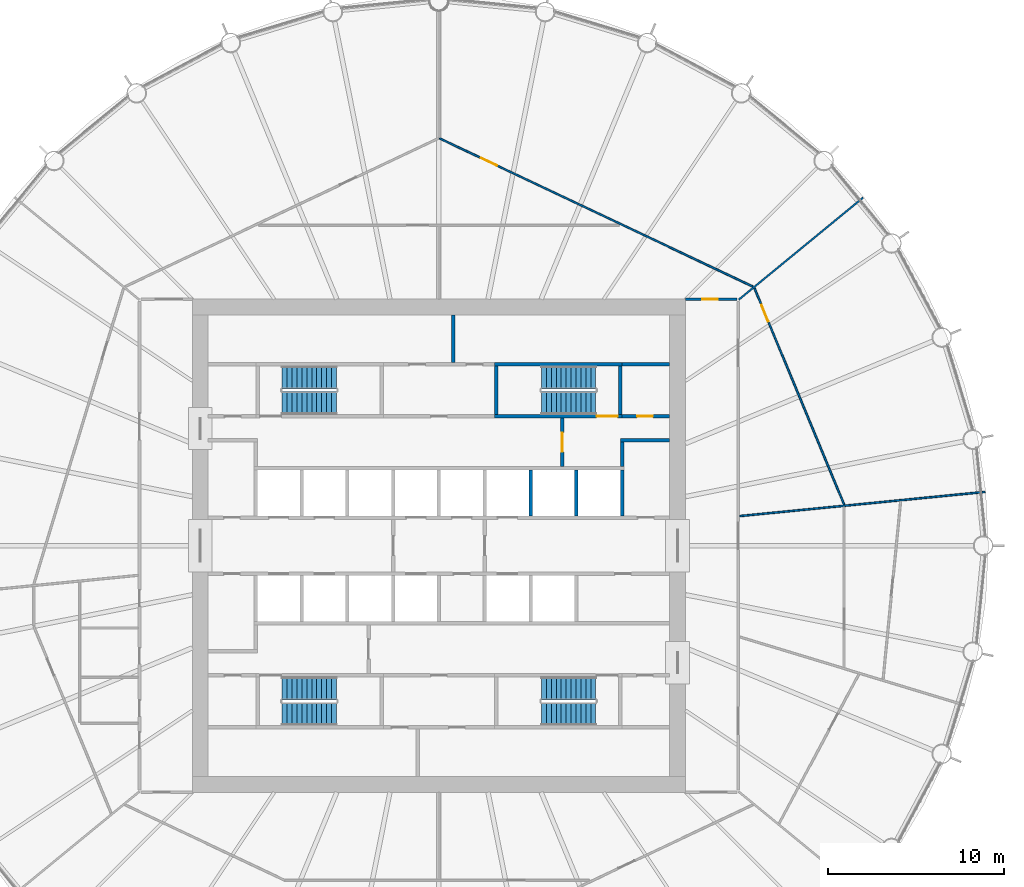
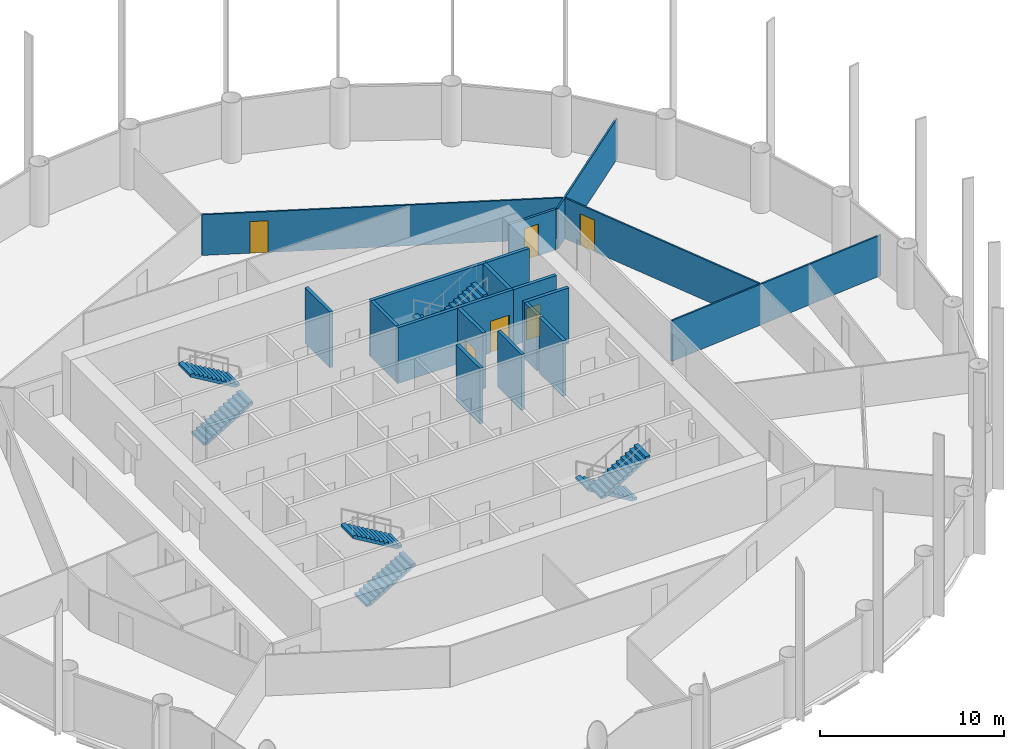
# One storey, part 7 of 8: 18 walls, 8 stair flights, 6 doors, 6 openings, 4 elements without a shape of their own.
"""IFC4 building model written with IfcOpenShell, lengths in metres."""

import ifcopenshell
import ifcopenshell.guid

model = None  # the IFC model being written
_history = None  # IfcOwnerHistory: only IFC2X3 demands one
_inside = {}  # id of a spatial element -> (the spatial element, [elements in it])
_under = {}  # id of a project, library or spatial element -> (it, [spatial elements below it])
_declared = {}  # id of a project -> (the project, [libraries it declares])
_typed = {}  # id of a type object -> (the type object, [elements of that type])
_made_of = {}  # id of a material, layer set ... -> (it, [elements and type objects made of it])


def new_model(schema):
    """Start an empty IFC model of exactly this schema.

    Asked for "IFC4X3", IfcOpenShell would pick the latest addendum, in which some entities
    have other attributes; the version numbers below select the first issue.
    IFC2X3 requires an IfcOwnerHistory on every rooted entity: one is made here for all.
    """
    global model, _history
    if schema == "IFC4X3":
        model = ifcopenshell.file(schema_version=(4, 3, 0, 0))
    else:
        model = ifcopenshell.file(schema=schema)
    _inside.clear()
    _under.clear()
    _declared.clear()
    _typed.clear()
    _made_of.clear()
    _history = None
    if model.schema == "IFC2X3":
        org = make("IfcOrganization", Name="unknown")
        user = make(
            "IfcPersonAndOrganization",
            ThePerson=make("IfcPerson", FamilyName="unknown"),
            TheOrganization=org,
        )
        app = make(
            "IfcApplication",
            ApplicationDeveloper=org,
            Version="unknown",
            ApplicationFullName="unknown",
            ApplicationIdentifier="unknown",
        )
        _history = make(
            "IfcOwnerHistory",
            OwningUser=user,
            OwningApplication=app,
            ChangeAction="ADDED",
            CreationDate=0,
        )
    return model


def make(cls, **values):
    """One entity of the class cls with the attributes given. An attribute that is None is left unset."""
    return model.create_entity(
        cls, **{name: value for name, value in values.items() if value is not None}
    )


def rooted(cls, **values):
    """An entity with a GlobalId (a new one), such as an element, a storey or a relation."""
    return make(cls, GlobalId=ifcopenshell.guid.new(), OwnerHistory=_history, **values)


def si_unit(unit_type, name, prefix=None):
    """IfcSIUnit, for example si_unit("LENGTHUNIT", "METRE", prefix="MILLI")."""
    return make("IfcSIUnit", UnitType=unit_type, Prefix=prefix, Name=name)


def assignment(units):
    """IfcUnitAssignment: the units of a project."""
    return None if units is None else make("IfcUnitAssignment", Units=units)


def point(xyz):
    """IfcCartesianPoint."""
    return None if xyz is None else make("IfcCartesianPoint", Coordinates=xyz)


def direction(xyz):
    """IfcDirection."""
    return None if xyz is None else make("IfcDirection", DirectionRatios=xyz)


def frame(location, z_axis=None, x_axis=None):
    """IfcAxis2Placement3D, a coordinate frame: its origin and axes. An axis left out is left unset."""
    return make(
        "IfcAxis2Placement3D",
        Location=point(location),
        Axis=direction(z_axis),
        RefDirection=direction(x_axis),
    )


def frame_2d(location, x_axis=None):
    """IfcAxis2Placement2D, a coordinate frame in the plane: its origin and x axis."""
    return make(
        "IfcAxis2Placement2D", Location=point(location), RefDirection=direction(x_axis)
    )


def origin():
    """The frame at (0, 0, 0) with its axes left unset."""
    return frame((0.0, 0.0, 0.0))


def place(relative_to, where):
    """IfcLocalPlacement: puts the frame where relative to a parent placement (None: the world)."""
    return make(
        "IfcLocalPlacement", PlacementRelTo=relative_to, RelativePlacement=where
    )


def context(
    kind, dimensions, precision=None, world=None, true_north=None, identifier=None
):
    """IfcGeometricRepresentationContext, for example the 3D "Model" context."""
    return make(
        "IfcGeometricRepresentationContext",
        ContextIdentifier=identifier,
        ContextType=kind,
        CoordinateSpaceDimension=dimensions,
        Precision=precision,
        WorldCoordinateSystem=world,
        TrueNorth=true_north,
    )


def subcontext(parent, identifier, kind, view, scale=None):
    """IfcGeometricRepresentationSubContext, for example "Body" below "Model"."""
    return make(
        "IfcGeometricRepresentationSubContext",
        ContextIdentifier=identifier,
        ContextType=kind,
        ParentContext=parent,
        TargetScale=scale,
        TargetView=view,
    )


def project(units=None, contexts=None):
    """IfcProject with its units and contexts."""
    return rooted(
        "IfcProject",
        Name="project",
        RepresentationContexts=contexts,
        UnitsInContext=assignment(units),
    )


def spatial(cls, under=None, at=None, **own):
    """A site, building, storey or space (cls), placed at a placement, below another one or the project."""
    s = rooted(cls, ObjectPlacement=at, **own)
    if under is not None:
        _under.setdefault(under.id(), (under, []))[1].append(s)
    return s


def polyline(points):
    """IfcPolyline through the points."""
    return make("IfcPolyline", Points=[point(p) for p in points])


def profile(cls, at=None, kind="AREA", **sizes):
    """A parametric profile (cls). Its sizes go by their IFC names, for example OverallWidth=200.0."""
    return make(cls, ProfileType=kind, Position=at, **sizes)


def rectangle(**sizes):
    """IfcRectangleProfileDef."""
    return profile("IfcRectangleProfileDef", **sizes)


def outline(outer, holes=None, kind="AREA"):
    """IfcArbitraryClosedProfileDef: a profile drawn as a closed curve; with holes, ...WithVoids."""
    if holes is None:
        return make("IfcArbitraryClosedProfileDef", ProfileType=kind, OuterCurve=outer)
    return make(
        "IfcArbitraryProfileDefWithVoids",
        ProfileType=kind,
        OuterCurve=outer,
        InnerCurves=holes,
    )


def extrude(swept, where, along, depth):
    """IfcExtrudedAreaSolid: the profile swept, set in the frame where, extruded along a direction by depth."""
    return make(
        "IfcExtrudedAreaSolid",
        SweptArea=swept,
        Position=where,
        ExtrudedDirection=direction(along),
        Depth=depth,
    )


def shape(context_of_items, identifier, shape_type, items):
    """IfcShapeRepresentation: the items that make up one representation, for example the "Body"."""
    return make(
        "IfcShapeRepresentation",
        ContextOfItems=context_of_items,
        RepresentationIdentifier=identifier,
        RepresentationType=shape_type,
        Items=items,
    )


def material(Name=None, Category=None):
    """IfcMaterial."""
    return make("IfcMaterial", Name=Name, Category=Category)


def layer(
    of_material, thickness, ventilated=None, Name=None, Category=None, Priority=None
):
    """IfcMaterialLayer: one layer of a wall or slab, of a material (None: an air gap)."""
    return make(
        "IfcMaterialLayer",
        Material=of_material,
        LayerThickness=thickness,
        IsVentilated=ventilated,
        Name=Name,
        Category=Category,
        Priority=Priority,
    )


def layer_set(layers, Name=None):
    """IfcMaterialLayerSet."""
    return make("IfcMaterialLayerSet", MaterialLayers=layers, LayerSetName=Name)


def made_of(thing, what):
    """Note that an element or type object is made of a material, layer set ...; save() writes the relation."""
    if what is not None:
        _made_of.setdefault(what.id(), (what, []))[1].append(thing)
    return thing


def type_object(cls, material=None, **own):
    """A type object (cls), such as IfcWallType, which elements share."""
    return made_of(rooted(cls, **own), material)


def element(
    cls,
    number,
    at=None,
    inside=None,
    cuts=None,
    type_object=None,
    material=None,
    context=None,
    identifier="Body",
    shape_type=None,
    held_by="IfcProductDefinitionShape",
    body=None,
    shapes=None,
    **own,
):
    """One element of the class cls, such as IfcWall. Its Tag is "e" and its number.

    at: its placement. inside: the storey or other place that contains it. cuts: it is an
    opening in that element (IfcRelVoidsElement). A single representation is given by context,
    identifier, shape_type and body (its items); several are given by shapes. held_by: the class
    of the entity that holds the representations. save() writes the other relations.
    """
    e = rooted(cls, Tag="e%d" % number, ObjectPlacement=at, **own)
    if body is not None:
        shapes = [shape(context, identifier, shape_type, body)]
    if shapes is not None:
        e.Representation = make(held_by, Representations=shapes)
    if inside is not None:
        _inside.setdefault(inside.id(), (inside, []))[1].append(e)
    if cuts is not None:
        rooted(
            "IfcRelVoidsElement", RelatingBuildingElement=cuts, RelatedOpeningElement=e
        )
    if type_object is not None:
        _typed.setdefault(type_object.id(), (type_object, []))[1].append(e)
    return made_of(e, material)


def fill(opening, filler):
    """IfcRelFillsElement: the door or window that sits in an opening."""
    return rooted(
        "IfcRelFillsElement",
        RelatingOpeningElement=opening,
        RelatedBuildingElement=filler,
    )


def aggregate(whole, parts):
    """IfcRelAggregates: a whole, such as a stair, and the parts it consists of."""
    return rooted("IfcRelAggregates", RelatingObject=whole, RelatedObjects=parts)


def save(model, path):
    """Write the relations noted so far, then the file.

    IfcRelAggregates (storeys below a building ...), IfcRelContainedInSpatialStructure (elements
    in a storey), IfcRelDefinesByType, IfcRelAssociatesMaterial and IfcRelDeclares: one each for
    every whole, place, type object, material and project.
    """
    for whole, parts in _under.values():
        aggregate(whole, parts)
    for where, things in _inside.values():
        rooted(
            "IfcRelContainedInSpatialStructure",
            RelatedElements=things,
            RelatingStructure=where,
        )
    for kind, things in _typed.values():
        rooted("IfcRelDefinesByType", RelatedObjects=things, RelatingType=kind)
    for what, things in _made_of.values():
        rooted("IfcRelAssociatesMaterial", RelatedObjects=things, RelatingMaterial=what)
    for by, libraries in _declared.values():
        rooted("IfcRelDeclares", RelatingContext=by, RelatedDefinitions=libraries)
    model.write(path)


model = new_model("IFC4")

# Units and contexts
model_context = context("Model", 3, precision=1e-05, world=origin(), true_north=direction((0.0, 1.0)))
body_context = subcontext(model_context, "Body", "Model", "MODEL_VIEW")
ifc_project = project(units=[si_unit("LENGTHUNIT", "METRE"), si_unit("AREAUNIT", "SQUARE_METRE"), si_unit("VOLUMEUNIT", "CUBIC_METRE"), si_unit("PLANEANGLEUNIT", "RADIAN"), si_unit("MASSUNIT", "GRAM", prefix="KILO")], contexts=[model_context])

# Site, building, storey
site_placement = place(None, origin())
site = spatial("IfcSite", under=ifc_project, at=site_placement, CompositionType="ELEMENT")
building_placement = place(site_placement, origin())
building = spatial("IfcBuilding", under=site, at=building_placement, Name="Corvane Civic Tower", CompositionType="ELEMENT")
storey_placement = place(building_placement, frame((0.0, 0.0, 176.0)))
storey = spatial("IfcBuildingStorey", under=building, at=storey_placement, Name="L41", CompositionType="ELEMENT", Elevation=176.0)

# Wall, opening, door
ifc_material_1 = material(Name="Concrete C30/37", Category="concrete")
ifc_layer_1 = layer(ifc_material_1, 0.199951171875)
ifc_layer_set_1 = layer_set([ifc_layer_1], Name="Concrete C30/37")
wall_type_1 = type_object("IfcWallType", Name="CR-WALL-200", PredefinedType="PARTITIONING", material=ifc_layer_set_1)
wall_1_placement = place(storey_placement, frame((10.39990234375, 7.35009765625, 0.0), z_axis=(0.0, 0.0, 1.0), x_axis=(1.0, 0.0, 0.0)))
wall_1 = element("IfcWall", 1, at=wall_1_placement, inside=storey, type_object=wall_type_1, Name="L41 core partition wall", PredefinedType="PARTITIONING", context=body_context, shape_type="SweptSolid", body=[
    extrude(rectangle(XDim=2.7001953125, YDim=0.199951171875, at=frame_2d((1.35009765625, 0.0))), origin(), (0.0, 0.0, 1.0), 3.699951171875),
])
opening_1_placement = place(wall_1_placement, frame((0.85009765625, 0.0, 0.0)))
opening_1 = element("IfcOpeningElement", 2, at=opening_1_placement, cuts=wall_1, Name="Opening L41.C14", PredefinedType="OPENING", context=body_context, shape_type="SweptSolid", body=[
    extrude(rectangle(XDim=0.89990234375, YDim=2.10009765625, at=frame_2d((0.449951171875, 1.050048828125))), frame((0.0, 0.10986328125, 0.0), z_axis=(0.0, -1.0, 0.0), x_axis=(1.0, 0.0, 0.0)), (0.0, 0.0, 1.0), 0.219970703125),
])
ifc_material_2 = material(Name="Steel fire door leaf", Category="steel")
door_type_1 = type_object("IfcDoorType", Name="CR-DOOR-900", OperationType="SINGLE_SWING_LEFT", PredefinedType="DOOR", material=ifc_material_2)
door_1_placement = place(opening_1_placement, origin())
door_1 = element("IfcDoor", 3, at=door_1_placement, inside=storey, type_object=door_type_1, Name="L41 door", OperationType="SINGLE_SWING_LEFT", OverallHeight=2.10009765625, OverallWidth=0.89990234375, PredefinedType="DOOR", context=body_context, shape_type="SweptSolid", body=[
    extrude(rectangle(XDim=0.89990234375, YDim=2.10009765625, at=frame_2d((0.449951171875, 1.050048828125))), frame((0.0, 0.02490234375, 0.0), z_axis=(0.0, -1.0, 0.0), x_axis=(1.0, 0.0, 0.0)), (0.0, 0.0, 1.0), 0.050048828125),
])
fill(opening_1, door_1)

wall_2_placement = place(storey_placement, frame((7.0, 4.5, 0.0), z_axis=(0.0, 0.0, 1.0), x_axis=(0.0, 1.0, 0.0)))
wall_2 = element("IfcWall", 4, at=wall_2_placement, inside=storey, type_object=wall_type_1, Name="L41 core partition wall", PredefinedType="PARTITIONING", context=body_context, shape_type="SweptSolid", body=[
    extrude(rectangle(XDim=2.75, YDim=0.199951171875, at=frame_2d((1.375, 0.0))), origin(), (0.0, 0.0, 1.0), 3.699951171875),
])
opening_2_placement = place(wall_2_placement, frame((0.824951171875, 0.0, 0.0)))
opening_2 = element("IfcOpeningElement", 5, at=opening_2_placement, cuts=wall_2, Name="Opening L41.C22", PredefinedType="OPENING", context=body_context, shape_type="SweptSolid", body=[
    extrude(rectangle(XDim=1.10009765625, YDim=2.10009765625, at=frame_2d((0.550048828125, 1.050048828125))), frame((0.0, 0.10986328125, 0.0), z_axis=(0.0, -1.0, 0.0), x_axis=(1.0, 0.0, 0.0)), (0.0, 0.0, 1.0), 0.219970703125),
])
ifc_material_3 = material(Name="Steel fire door leaf", Category="steel")
door_type_2 = type_object("IfcDoorType", Name="CR-DOOR-FFL-1100", OperationType="SINGLE_SWING_LEFT", PredefinedType="DOOR", material=ifc_material_3)
door_2_placement = place(opening_2_placement, origin())
door_2 = element("IfcDoor", 6, at=door_2_placement, inside=storey, type_object=door_type_2, Name="L41 lobby door", OperationType="SINGLE_SWING_LEFT", OverallHeight=2.10009765625, OverallWidth=1.10009765625, PredefinedType="DOOR", context=body_context, shape_type="SweptSolid", body=[
    extrude(rectangle(XDim=1.10009765625, YDim=2.10009765625, at=frame_2d((0.550048828125, 1.050048828125))), frame((0.0, 0.02490234375, 0.0), z_axis=(0.0, -1.0, 0.0), x_axis=(1.0, 0.0, 0.0)), (0.0, 0.0, 1.0), 0.050048828125),
])
fill(opening_2, door_2)

# Walls
wall_3_placement = place(storey_placement, origin())
element("IfcWall", 7, at=wall_3_placement, inside=storey, type_object=wall_type_1, Name="L41 core partition wall", PredefinedType="PARTITIONING", context=body_context, shape_type="SweptSolid", body=[
    extrude(outline(polyline([(13.10009765625, 5.89990234375), (10.300048828125, 5.89990234375), (10.300048828125, 6.10009765625), (13.10009765625, 6.10009765625), (13.10009765625, 5.89990234375)])), origin(), (0.0, 0.0, 1.0), 3.699951171875),
])
wall_4_placement = place(storey_placement, origin())
element("IfcWall", 8, at=wall_4_placement, inside=storey, type_object=wall_type_1, Name="L41 core partition wall", PredefinedType="PARTITIONING", context=body_context, shape_type="SweptSolid", body=[
    extrude(outline(polyline([(5.300048828125, 1.699951171875), (5.10009765625, 1.699951171875), (5.10009765625, 4.2998046875), (5.300048828125, 4.2998046875), (5.300048828125, 1.699951171875)])), origin(), (0.0, 0.0, 1.0), 3.699951171875),
])
wall_5_placement = place(storey_placement, origin())
element("IfcWall", 9, at=wall_5_placement, inside=storey, type_object=wall_type_1, Name="L41 core partition wall", PredefinedType="PARTITIONING", context=body_context, shape_type="SweptSolid", body=[
    extrude(outline(polyline([(7.89990234375, 1.699951171875), (7.699951171875, 1.699951171875), (7.699951171875, 4.2998046875), (7.89990234375, 4.2998046875), (7.89990234375, 1.699951171875)])), origin(), (0.0, 0.0, 1.0), 3.699951171875),
])
wall_6_placement = place(storey_placement, origin())
element("IfcWall", 10, at=wall_6_placement, inside=storey, type_object=wall_type_1, Name="L41 core partition wall", PredefinedType="PARTITIONING", context=body_context, shape_type="SweptSolid", body=[
    extrude(outline(polyline([(10.5, 1.699951171875), (10.300048828125, 1.699951171875), (10.300048828125, 4.2998046875), (10.5, 4.2998046875), (10.5, 1.699951171875)])), origin(), (0.0, 0.0, 1.0), 3.699951171875),
])
wall_7_placement = place(storey_placement, origin())
element("IfcWall", 11, at=wall_7_placement, inside=storey, type_object=wall_type_1, Name="L41 core partition wall", PredefinedType="PARTITIONING", context=body_context, shape_type="SweptSolid", body=[
    extrude(outline(polyline([(10.5, 4.5), (10.300048828125, 4.5), (10.300048828125, 5.89990234375), (10.5, 5.89990234375), (10.5, 4.5)])), origin(), (0.0, 0.0, 1.0), 3.699951171875),
])
wall_8_placement = place(storey_placement, origin())
element("IfcWall", 12, at=wall_8_placement, inside=storey, type_object=wall_type_1, Name="L41 core partition wall", PredefinedType="PARTITIONING", context=body_context, shape_type="SweptSolid", body=[
    extrude(outline(polyline([(0.89990234375, 10.39990234375), (0.699951171875, 10.39990234375), (0.699951171875, 13.10009765625), (0.89990234375, 13.10009765625), (0.89990234375, 10.39990234375)])), origin(), (0.0, 0.0, 1.0), 3.699951171875),
])
wall_9_placement = place(storey_placement, origin())
element("IfcWall", 13, at=wall_9_placement, inside=storey, type_object=wall_type_1, Name="L41 core partition wall", PredefinedType="PARTITIONING", context=body_context, shape_type="SweptSolid", body=[
    extrude(outline(polyline([(10.39990234375, 10.199951171875), (10.39990234375, 10.39990234375), (13.10009765625, 10.39990234375), (13.10009765625, 10.199951171875), (10.39990234375, 10.199951171875)])), origin(), (0.0, 0.0, 1.0), 3.699951171875),
])
ifc_material_4 = material(Name="Plasterboard")
ifc_layer_2 = layer(ifc_material_4, 0.10009765625)
ifc_layer_set_2 = layer_set([ifc_layer_2], Name="Plasterboard")
wall_type_2 = type_object("IfcWallType", Name="Partition 100 plasterboard on studs", PredefinedType="PARTITIONING", material=ifc_layer_set_2)
wall_10_placement = place(storey_placement, frame((17.079833984375, 1.68212890625, 0.0), z_axis=(0.0, 0.0, 1.0), x_axis=(0.995184356936, 0.098020894254, 0.0)))
element("IfcWall", 14, at=wall_10_placement, inside=storey, type_object=wall_type_2, Name="Partition L41.024", PredefinedType="PARTITIONING", context=body_context, shape_type="SweptSolid", body=[
    extrude(rectangle(XDim=13.98779296875, YDim=0.10009765625, at=frame_2d((6.993896484375, 0.0))), origin(), (0.0, 0.0, 1.0), 2.699951171875),
])

# Wall, opening, door
wall_11_placement = place(storey_placement, frame((17.913818359375, 14.617919921875, 0.0), z_axis=(0.0, 0.0, 1.0), x_axis=(0.382684147152, -0.923879236437, 0.0)))
wall_11 = element("IfcWall", 15, at=wall_11_placement, inside=storey, type_object=wall_type_2, Name="Partition L41.025", PredefinedType="PARTITIONING", context=body_context, shape_type="SweptSolid", body=[
    extrude(rectangle(XDim=13.2998046875, YDim=0.10009765625, at=frame_2d((6.64990234375, 0.0))), origin(), (0.0, 0.0, 1.0), 2.699951171875),
])
opening_3_placement = place(wall_11_placement, frame((1.037353515625, 0.0, 0.0)))
opening_3 = element("IfcOpeningElement", 16, at=opening_3_placement, cuts=wall_11, Name="Opening L41.010", PredefinedType="OPENING", context=body_context, shape_type="SweptSolid", body=[
    extrude(rectangle(XDim=1.0, YDim=2.10009765625, at=frame_2d((0.5, 1.050048828125))), frame((0.0, 0.06005859375, 0.0), z_axis=(0.0, -1.0, 0.0), x_axis=(1.0, 0.0, 0.0)), (0.0, 0.0, 1.0), 0.1201171875),
])
ifc_material_5 = material(Name="Timber", Category="wood")
door_type_3 = type_object("IfcDoorType", Name="Single door 1000", OperationType="NOTDEFINED", PredefinedType="DOOR", material=ifc_material_5)
door_3_placement = place(opening_3_placement, origin())
door_3 = element("IfcDoor", 17, at=door_3_placement, inside=storey, type_object=door_type_3, Name="Door L41.010", OperationType="SINGLE_SWING_LEFT", OverallHeight=2.10009765625, OverallWidth=1.0, PredefinedType="DOOR", context=body_context, shape_type="SweptSolid", body=[
    extrude(rectangle(XDim=1.0, YDim=2.10009765625, at=frame_2d((0.5, 1.050048828125))), frame((0.0, 0.02490234375, 0.0), z_axis=(0.0, -1.0, 0.0), x_axis=(1.0, 0.0, 0.0)), (0.0, 0.0, 1.0), 0.050048828125),
])
fill(opening_3, door_3)

# Wall
wall_12_placement = place(storey_placement, frame((17.018310546875, 13.966552734375, 0.0), z_axis=(0.0, 0.0, 1.0), x_axis=(0.773006154143, 0.634398522742, 0.0)))
element("IfcWall", 18, at=wall_12_placement, inside=storey, type_object=wall_type_2, Name="Partition L41.027", PredefinedType="PARTITIONING", context=body_context, shape_type="SweptSolid", body=[
    extrude(rectangle(XDim=9.134521484375, YDim=0.10009765625, at=frame_2d((4.5673828125, 0.0))), origin(), (0.0, 0.0, 1.0), 2.699951171875),
])

# Wall, opening, door
wall_13_placement = place(storey_placement, frame((0.028564453125, 23.126953125, 0.0), z_axis=(0.0, 0.0, 1.0), x_axis=(0.903992844698, -0.427547584176, 0.0)))
wall_13 = element("IfcWall", 19, at=wall_13_placement, inside=storey, type_object=wall_type_2, Name="Partition L41.032", PredefinedType="PARTITIONING", context=body_context, shape_type="SweptSolid", body=[
    extrude(rectangle(XDim=19.677001953125, YDim=0.10009765625, at=frame_2d((9.83837890625, 0.0))), origin(), (0.0, 0.0, 1.0), 2.699951171875),
])
opening_4_placement = place(wall_13_placement, frame((2.617919921875, 0.0, 0.0)))
opening_4 = element("IfcOpeningElement", 20, at=opening_4_placement, cuts=wall_13, Name="Opening L41.002", PredefinedType="OPENING", context=body_context, shape_type="SweptSolid", body=[
    extrude(rectangle(XDim=1.0, YDim=2.10009765625, at=frame_2d((0.5, 1.050048828125))), frame((0.0, 0.06005859375, 0.0), z_axis=(0.0, -1.0, 0.0), x_axis=(1.0, 0.0, 0.0)), (0.0, 0.0, 1.0), 0.1201171875),
])
door_4_placement = place(opening_4_placement, origin())
door_4 = element("IfcDoor", 21, at=door_4_placement, inside=storey, type_object=door_type_3, Name="Door L41.002", OperationType="SINGLE_SWING_LEFT", OverallHeight=2.10009765625, OverallWidth=1.0, PredefinedType="DOOR", context=body_context, shape_type="SweptSolid", body=[
    extrude(rectangle(XDim=1.0, YDim=2.10009765625, at=frame_2d((0.5, 1.050048828125))), frame((0.0, 0.02490234375, 0.0), z_axis=(0.0, -1.0, 0.0), x_axis=(1.0, 0.0, 0.0)), (0.0, 0.0, 1.0), 0.050048828125),
])
fill(opening_4, door_4)

ifc_material_6 = material(Name="Concrete C50/60", Category="concrete")
ifc_layer_3 = layer(ifc_material_6, 0.199951171875)
ifc_layer_set_3 = layer_set([ifc_layer_3], Name="Concrete C50/60")
wall_type_3 = type_object("IfcWallType", Name="ST-WALL-200", PredefinedType="SHEAR", material=ifc_layer_set_3)
wall_14_placement = place(storey_placement, frame((3.14990234375, 7.35009765625, 0.0), z_axis=(0.0, 0.0, 1.0), x_axis=(1.0, 0.0, 0.0)))
wall_14 = element("IfcWall", 22, at=wall_14_placement, inside=storey, type_object=wall_type_3, Name="L41 stair enclosure wall", PredefinedType="SHEAR", context=body_context, shape_type="SweptSolid", body=[
    extrude(rectangle(XDim=7.25, YDim=0.199951171875, at=frame_2d((3.625, 0.0))), origin(), (0.0, 0.0, 1.0), 3.699951171875),
])
opening_5_placement = place(wall_14_placement, frame((5.800048828125, 0.0, 0.0)))
opening_5 = element("IfcOpeningElement", 23, at=opening_5_placement, cuts=wall_14, Name="Opening L41.C16", PredefinedType="OPENING", context=body_context, shape_type="SweptSolid", body=[
    extrude(rectangle(XDim=1.199951171875, YDim=2.10009765625, at=frame_2d((0.60009765625, 1.050048828125))), frame((0.0, 0.10986328125, 0.0), z_axis=(0.0, -1.0, 0.0), x_axis=(1.0, 0.0, 0.0)), (0.0, 0.0, 1.0), 0.219970703125),
])
ifc_material_7 = material(Name="Steel fire door leaf", Category="steel")
door_type_4 = type_object("IfcDoorType", Name="ST-DOOR-1200", OperationType="SINGLE_SWING_RIGHT", PredefinedType="DOOR", material=ifc_material_7)
door_5_placement = place(opening_5_placement, origin())
door_5 = element("IfcDoor", 24, at=door_5_placement, inside=storey, type_object=door_type_4, Name="L41 stair door", OperationType="SINGLE_SWING_RIGHT", OverallHeight=2.10009765625, OverallWidth=1.199951171875, PredefinedType="DOOR", context=body_context, shape_type="SweptSolid", body=[
    extrude(rectangle(XDim=1.199951171875, YDim=2.10009765625, at=frame_2d((0.60009765625, 1.050048828125))), frame((0.0, 0.02490234375, 0.0), z_axis=(0.0, -1.0, 0.0), x_axis=(1.0, 0.0, 0.0)), (0.0, 0.0, 1.0), 0.050048828125),
])
fill(opening_5, door_5)

# Walls
wall_15_placement = place(storey_placement, origin())
element("IfcWall", 25, at=wall_15_placement, inside=storey, type_object=wall_type_3, Name="L41 stair enclosure wall", PredefinedType="SHEAR", context=body_context, shape_type="SweptSolid", body=[
    extrude(outline(polyline([(10.39990234375, 10.199951171875), (3.14990234375, 10.199951171875), (3.14990234375, 10.39990234375), (10.39990234375, 10.39990234375), (10.39990234375, 10.199951171875)])), origin(), (0.0, 0.0, 1.0), 3.699951171875),
])
wall_16_placement = place(storey_placement, origin())
element("IfcWall", 26, at=wall_16_placement, inside=storey, type_object=wall_type_3, Name="L41 stair enclosure wall", PredefinedType="SHEAR", context=body_context, shape_type="SweptSolid", body=[
    extrude(outline(polyline([(3.35009765625, 7.449951171875), (3.14990234375, 7.449951171875), (3.14990234375, 10.199951171875), (3.35009765625, 10.199951171875), (3.35009765625, 7.449951171875)])), origin(), (0.0, 0.0, 1.0), 3.699951171875),
])
wall_17_placement = place(storey_placement, origin())
element("IfcWall", 27, at=wall_17_placement, inside=storey, type_object=wall_type_3, Name="L41 stair enclosure wall", PredefinedType="SHEAR", context=body_context, shape_type="SweptSolid", body=[
    extrude(outline(polyline([(10.39990234375, 7.449951171875), (10.199951171875, 7.449951171875), (10.199951171875, 10.199951171875), (10.39990234375, 10.199951171875), (10.39990234375, 7.449951171875)])), origin(), (0.0, 0.0, 1.0), 3.699951171875),
])

# Wall, opening, door
ifc_material_8 = material(Name="Plasterboard")
ifc_layer_4 = layer(ifc_material_8, 0.14990234375)
ifc_layer_set_4 = layer_set([ifc_layer_4], Name="Plasterboard")
wall_type_4 = type_object("IfcWallType", Name="Tenancy wall 150 EI 60", PredefinedType="PARTITIONING", material=ifc_layer_set_4)
wall_18_placement = place(storey_placement, frame((13.989990234375, 14.0, 0.0), z_axis=(0.0, 0.0, 1.0), x_axis=(1.0, 0.0, 0.0)))
wall_18 = element("IfcWall", 28, at=wall_18_placement, inside=storey, type_object=wall_type_4, Name="Partition L41.030", PredefinedType="PARTITIONING", context=body_context, shape_type="SweptSolid", body=[
    extrude(rectangle(XDim=2.93505859375, YDim=0.14990234375, at=frame_2d((1.467529296875, 0.0))), origin(), (0.0, 0.0, 1.0), 2.699951171875),
])
opening_6_placement = place(wall_18_placement, frame((0.944580078125, 0.0, 0.0)))
opening_6 = element("IfcOpeningElement", 29, at=opening_6_placement, cuts=wall_18, Name="Opening L41.005", PredefinedType="OPENING", context=body_context, shape_type="SweptSolid", body=[
    extrude(rectangle(XDim=0.89990234375, YDim=2.10009765625, at=frame_2d((0.449951171875, 1.050048828125))), frame((0.0, 0.0849609375, 0.0), z_axis=(0.0, -1.0, 0.0), x_axis=(1.0, 0.0, 0.0)), (0.0, 0.0, 1.0), 0.169921875),
])
ifc_material_9 = material(Name="Steel and timber", Category="steel")
door_type_5 = type_object("IfcDoorType", Name="Fire door FD30S 900", OperationType="NOTDEFINED", PredefinedType="DOOR", material=ifc_material_9)
door_6_placement = place(opening_6_placement, origin())
door_6 = element("IfcDoor", 30, at=door_6_placement, inside=storey, type_object=door_type_5, Name="Door L41.005", OperationType="SINGLE_SWING_LEFT", OverallHeight=2.10009765625, OverallWidth=0.89990234375, PredefinedType="DOOR", context=body_context, shape_type="SweptSolid", body=[
    extrude(rectangle(XDim=0.89990234375, YDim=2.10009765625, at=frame_2d((0.449951171875, 1.050048828125))), frame((0.0, 0.02490234375, 0.0), z_axis=(0.0, -1.0, 0.0), x_axis=(1.0, 0.0, 0.0)), (0.0, 0.0, 1.0), 0.050048828125),
])
fill(opening_6, door_6)

# Stair, stair flights
ifc_material_10 = material(Name="Concrete C40/50", Category="concrete")
stair_type = type_object("IfcStairType", Name="ST-STAIR-HALFTURN", PredefinedType="HALF_TURN_STAIR", material=ifc_material_10)
stair_1_placement = place(storey_placement, origin())
stair_1 = element("IfcStair", 31, at=stair_1_placement, inside=storey, type_object=stair_type, Name="L41 Exit stair ST1", PredefinedType="HALF_TURN_STAIR")
ifc_material_11 = material(Name="Concrete C40/50", Category="concrete")
stair_flight_type = type_object("IfcStairFlightType", Name="ST-FLIGHT-RC", PredefinedType="STRAIGHT", material=ifc_material_11)
stair_flight_1_placement = place(storey_placement, frame((8.89990234375, 9.550048828125, 0.0), z_axis=(0.0, 0.0, 1.0), x_axis=(-1.0, 0.0, 0.0)))
stair_flight_1 = element("IfcStairFlight", 32, at=stair_flight_1_placement, type_object=stair_flight_type, Name="ST1 flight 1", NumberOfRisers=12, NumberOfTreads=11, PredefinedType="STRAIGHT", RiserHeight=0.166666667, TreadLength=0.28, context=body_context, shape_type="SweptSolid", body=[
    extrude(outline(polyline([(0.0, 0.0), (0.0, 0.166748046875), (0.280029296875, 0.166748046875), (0.280029296875, 0.333251953125), (0.56005859375, 0.333251953125), (0.56005859375, 0.5), (0.840087890625, 0.5), (0.840087890625, 0.666748046875), (1.1201171875, 0.666748046875), (1.1201171875, 0.833251953125), (1.39990234375, 0.833251953125), (1.39990234375, 1.0), (1.679931640625, 1.0), (1.679931640625, 1.166748046875), (1.9599609375, 1.166748046875), (1.9599609375, 1.333251953125), (2.239990234375, 1.333251953125), (2.239990234375, 1.5), (2.52001953125, 1.5), (2.52001953125, 1.666748046875), (2.800048828125, 1.666748046875), (2.800048828125, 1.833251953125), (3.080078125, 1.833251953125), (3.080078125, 2.0), (3.080078125, 1.658935546875), (0.29296875, 0.0), (0.0, 0.0)])), frame((0.0, 0.64990234375, 0.0), z_axis=(0.0, -1.0, 0.0), x_axis=(1.0, 0.0, 0.0)), (0.0, 0.0, 1.0), 1.300048828125),
])
stair_flight_2_placement = place(storey_placement, frame((5.820068359375, 8.10009765625, 2.0), z_axis=(0.0, 0.0, 1.0), x_axis=(1.0, 0.0, 0.0)))
stair_flight_2 = element("IfcStairFlight", 33, at=stair_flight_2_placement, type_object=stair_flight_type, Name="ST1 flight 2", NumberOfRisers=12, NumberOfTreads=11, PredefinedType="STRAIGHT", RiserHeight=0.166666667, TreadLength=0.28, context=body_context, shape_type="SweptSolid", body=[
    extrude(outline(polyline([(0.0, 0.0), (0.0, 0.166748046875), (0.280029296875, 0.166748046875), (0.280029296875, 0.333251953125), (0.56005859375, 0.333251953125), (0.56005859375, 0.5), (0.840087890625, 0.5), (0.840087890625, 0.666748046875), (1.1201171875, 0.666748046875), (1.1201171875, 0.833251953125), (1.39990234375, 0.833251953125), (1.39990234375, 1.0), (1.679931640625, 1.0), (1.679931640625, 1.166748046875), (1.9599609375, 1.166748046875), (1.9599609375, 1.333251953125), (2.239990234375, 1.333251953125), (2.239990234375, 1.5), (2.52001953125, 1.5), (2.52001953125, 1.666748046875), (2.800048828125, 1.666748046875), (2.800048828125, 1.833251953125), (3.080078125, 1.833251953125), (3.080078125, 2.0), (3.080078125, 1.658935546875), (0.29296875, 0.0), (0.0, 0.0)])), frame((0.0, 0.64990234375, 0.0), z_axis=(0.0, -1.0, 0.0), x_axis=(1.0, 0.0, 0.0)), (0.0, 0.0, 1.0), 1.300048828125),
])
aggregate(stair_1, [stair_flight_1, stair_flight_2])

stair_2_placement = place(storey_placement, origin())
stair_2 = element("IfcStair", 34, at=stair_2_placement, inside=storey, type_object=stair_type, Name="L41 Exit stair ST2", PredefinedType="HALF_TURN_STAIR")
stair_flight_3_placement = place(storey_placement, frame((8.89990234375, -8.10009765625, 0.0), z_axis=(0.0, 0.0, 1.0), x_axis=(-1.0, 0.0, 0.0)))
stair_flight_3 = element("IfcStairFlight", 35, at=stair_flight_3_placement, type_object=stair_flight_type, Name="ST2 flight 1", NumberOfRisers=12, NumberOfTreads=11, PredefinedType="STRAIGHT", RiserHeight=0.166666667, TreadLength=0.28, context=body_context, shape_type="SweptSolid", body=[
    extrude(outline(polyline([(0.0, 0.0), (0.0, 0.166748046875), (0.280029296875, 0.166748046875), (0.280029296875, 0.333251953125), (0.56005859375, 0.333251953125), (0.56005859375, 0.5), (0.840087890625, 0.5), (0.840087890625, 0.666748046875), (1.1201171875, 0.666748046875), (1.1201171875, 0.833251953125), (1.39990234375, 0.833251953125), (1.39990234375, 1.0), (1.679931640625, 1.0), (1.679931640625, 1.166748046875), (1.9599609375, 1.166748046875), (1.9599609375, 1.333251953125), (2.239990234375, 1.333251953125), (2.239990234375, 1.5), (2.52001953125, 1.5), (2.52001953125, 1.666748046875), (2.800048828125, 1.666748046875), (2.800048828125, 1.833251953125), (3.080078125, 1.833251953125), (3.080078125, 2.0), (3.080078125, 1.658935546875), (0.29296875, 0.0), (0.0, 0.0)])), frame((0.0, 0.64990234375, 0.0), z_axis=(0.0, -1.0, 0.0), x_axis=(1.0, 0.0, 0.0)), (0.0, 0.0, 1.0), 1.300048828125),
])
stair_flight_4_placement = place(storey_placement, frame((5.820068359375, -9.550048828125, 2.0), z_axis=(0.0, 0.0, 1.0), x_axis=(1.0, 0.0, 0.0)))
stair_flight_4 = element("IfcStairFlight", 36, at=stair_flight_4_placement, type_object=stair_flight_type, Name="ST2 flight 2", NumberOfRisers=12, NumberOfTreads=11, PredefinedType="STRAIGHT", RiserHeight=0.166666667, TreadLength=0.28, context=body_context, shape_type="SweptSolid", body=[
    extrude(outline(polyline([(0.0, 0.0), (0.0, 0.166748046875), (0.280029296875, 0.166748046875), (0.280029296875, 0.333251953125), (0.56005859375, 0.333251953125), (0.56005859375, 0.5), (0.840087890625, 0.5), (0.840087890625, 0.666748046875), (1.1201171875, 0.666748046875), (1.1201171875, 0.833251953125), (1.39990234375, 0.833251953125), (1.39990234375, 1.0), (1.679931640625, 1.0), (1.679931640625, 1.166748046875), (1.9599609375, 1.166748046875), (1.9599609375, 1.333251953125), (2.239990234375, 1.333251953125), (2.239990234375, 1.5), (2.52001953125, 1.5), (2.52001953125, 1.666748046875), (2.800048828125, 1.666748046875), (2.800048828125, 1.833251953125), (3.080078125, 1.833251953125), (3.080078125, 2.0), (3.080078125, 1.658935546875), (0.29296875, 0.0), (0.0, 0.0)])), frame((0.0, 0.64990234375, 0.0), z_axis=(0.0, -1.0, 0.0), x_axis=(1.0, 0.0, 0.0)), (0.0, 0.0, 1.0), 1.300048828125),
])
aggregate(stair_2, [stair_flight_3, stair_flight_4])

stair_3_placement = place(storey_placement, origin())
stair_3 = element("IfcStair", 37, at=stair_3_placement, inside=storey, type_object=stair_type, Name="L41 Exit stair ST3", PredefinedType="HALF_TURN_STAIR")
stair_flight_5_placement = place(storey_placement, frame((-8.89990234375, -9.550048828125, 0.0), z_axis=(0.0, 0.0, 1.0), x_axis=(1.0, 0.0, 0.0)))
stair_flight_5 = element("IfcStairFlight", 38, at=stair_flight_5_placement, type_object=stair_flight_type, Name="ST3 flight 1", NumberOfRisers=12, NumberOfTreads=11, PredefinedType="STRAIGHT", RiserHeight=0.166666667, TreadLength=0.28, context=body_context, shape_type="SweptSolid", body=[
    extrude(outline(polyline([(0.0, 0.0), (0.0, 0.166748046875), (0.280029296875, 0.166748046875), (0.280029296875, 0.333251953125), (0.56005859375, 0.333251953125), (0.56005859375, 0.5), (0.840087890625, 0.5), (0.840087890625, 0.666748046875), (1.1201171875, 0.666748046875), (1.1201171875, 0.833251953125), (1.39990234375, 0.833251953125), (1.39990234375, 1.0), (1.679931640625, 1.0), (1.679931640625, 1.166748046875), (1.9599609375, 1.166748046875), (1.9599609375, 1.333251953125), (2.239990234375, 1.333251953125), (2.239990234375, 1.5), (2.52001953125, 1.5), (2.52001953125, 1.666748046875), (2.800048828125, 1.666748046875), (2.800048828125, 1.833251953125), (3.080078125, 1.833251953125), (3.080078125, 2.0), (3.080078125, 1.658935546875), (0.29296875, 0.0), (0.0, 0.0)])), frame((0.0, 0.64990234375, 0.0), z_axis=(0.0, -1.0, 0.0), x_axis=(1.0, 0.0, 0.0)), (0.0, 0.0, 1.0), 1.300048828125),
])
stair_flight_6_placement = place(storey_placement, frame((-5.820068359375, -8.10009765625, 2.0), z_axis=(0.0, 0.0, 1.0), x_axis=(-1.0, 0.0, 0.0)))
stair_flight_6 = element("IfcStairFlight", 39, at=stair_flight_6_placement, type_object=stair_flight_type, Name="ST3 flight 2", NumberOfRisers=12, NumberOfTreads=11, PredefinedType="STRAIGHT", RiserHeight=0.166666667, TreadLength=0.28, context=body_context, shape_type="SweptSolid", body=[
    extrude(outline(polyline([(0.0, 0.0), (0.0, 0.166748046875), (0.280029296875, 0.166748046875), (0.280029296875, 0.333251953125), (0.56005859375, 0.333251953125), (0.56005859375, 0.5), (0.840087890625, 0.5), (0.840087890625, 0.666748046875), (1.1201171875, 0.666748046875), (1.1201171875, 0.833251953125), (1.39990234375, 0.833251953125), (1.39990234375, 1.0), (1.679931640625, 1.0), (1.679931640625, 1.166748046875), (1.9599609375, 1.166748046875), (1.9599609375, 1.333251953125), (2.239990234375, 1.333251953125), (2.239990234375, 1.5), (2.52001953125, 1.5), (2.52001953125, 1.666748046875), (2.800048828125, 1.666748046875), (2.800048828125, 1.833251953125), (3.080078125, 1.833251953125), (3.080078125, 2.0), (3.080078125, 1.658935546875), (0.29296875, 0.0), (0.0, 0.0)])), frame((0.0, 0.64990234375, 0.0), z_axis=(0.0, -1.0, 0.0), x_axis=(1.0, 0.0, 0.0)), (0.0, 0.0, 1.0), 1.300048828125),
])
aggregate(stair_3, [stair_flight_5, stair_flight_6])

stair_4_placement = place(storey_placement, origin())
stair_4 = element("IfcStair", 40, at=stair_4_placement, inside=storey, type_object=stair_type, Name="L41 Exit stair ST4", PredefinedType="HALF_TURN_STAIR")
stair_flight_7_placement = place(storey_placement, frame((-8.89990234375, 8.10009765625, 0.0), z_axis=(0.0, 0.0, 1.0), x_axis=(1.0, 0.0, 0.0)))
stair_flight_7 = element("IfcStairFlight", 41, at=stair_flight_7_placement, type_object=stair_flight_type, Name="ST4 flight 1", NumberOfRisers=12, NumberOfTreads=11, PredefinedType="STRAIGHT", RiserHeight=0.166666667, TreadLength=0.28, context=body_context, shape_type="SweptSolid", body=[
    extrude(outline(polyline([(0.0, 0.0), (0.0, 0.166748046875), (0.280029296875, 0.166748046875), (0.280029296875, 0.333251953125), (0.56005859375, 0.333251953125), (0.56005859375, 0.5), (0.840087890625, 0.5), (0.840087890625, 0.666748046875), (1.1201171875, 0.666748046875), (1.1201171875, 0.833251953125), (1.39990234375, 0.833251953125), (1.39990234375, 1.0), (1.679931640625, 1.0), (1.679931640625, 1.166748046875), (1.9599609375, 1.166748046875), (1.9599609375, 1.333251953125), (2.239990234375, 1.333251953125), (2.239990234375, 1.5), (2.52001953125, 1.5), (2.52001953125, 1.666748046875), (2.800048828125, 1.666748046875), (2.800048828125, 1.833251953125), (3.080078125, 1.833251953125), (3.080078125, 2.0), (3.080078125, 1.658935546875), (0.29296875, 0.0), (0.0, 0.0)])), frame((0.0, 0.64990234375, 0.0), z_axis=(0.0, -1.0, 0.0), x_axis=(1.0, 0.0, 0.0)), (0.0, 0.0, 1.0), 1.300048828125),
])
stair_flight_8_placement = place(storey_placement, frame((-5.820068359375, 9.550048828125, 2.0), z_axis=(0.0, 0.0, 1.0), x_axis=(-1.0, 0.0, 0.0)))
stair_flight_8 = element("IfcStairFlight", 42, at=stair_flight_8_placement, type_object=stair_flight_type, Name="ST4 flight 2", NumberOfRisers=12, NumberOfTreads=11, PredefinedType="STRAIGHT", RiserHeight=0.166666667, TreadLength=0.28, context=body_context, shape_type="SweptSolid", body=[
    extrude(outline(polyline([(0.0, 0.0), (0.0, 0.166748046875), (0.280029296875, 0.166748046875), (0.280029296875, 0.333251953125), (0.56005859375, 0.333251953125), (0.56005859375, 0.5), (0.840087890625, 0.5), (0.840087890625, 0.666748046875), (1.1201171875, 0.666748046875), (1.1201171875, 0.833251953125), (1.39990234375, 0.833251953125), (1.39990234375, 1.0), (1.679931640625, 1.0), (1.679931640625, 1.166748046875), (1.9599609375, 1.166748046875), (1.9599609375, 1.333251953125), (2.239990234375, 1.333251953125), (2.239990234375, 1.5), (2.52001953125, 1.5), (2.52001953125, 1.666748046875), (2.800048828125, 1.666748046875), (2.800048828125, 1.833251953125), (3.080078125, 1.833251953125), (3.080078125, 2.0), (3.080078125, 1.658935546875), (0.29296875, 0.0), (0.0, 0.0)])), frame((0.0, 0.64990234375, 0.0), z_axis=(0.0, -1.0, 0.0), x_axis=(1.0, 0.0, 0.0)), (0.0, 0.0, 1.0), 1.300048828125),
])
aggregate(stair_4, [stair_flight_7, stair_flight_8])

save(model, "model.ifc")
